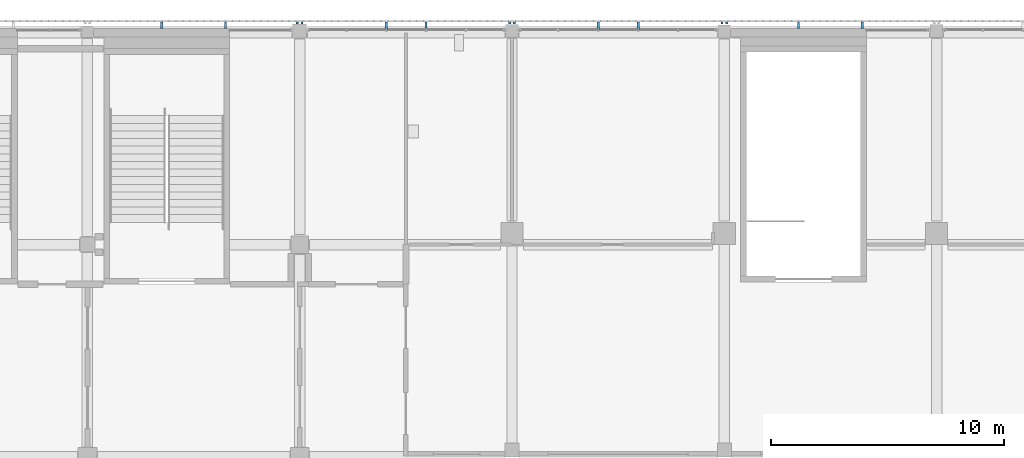
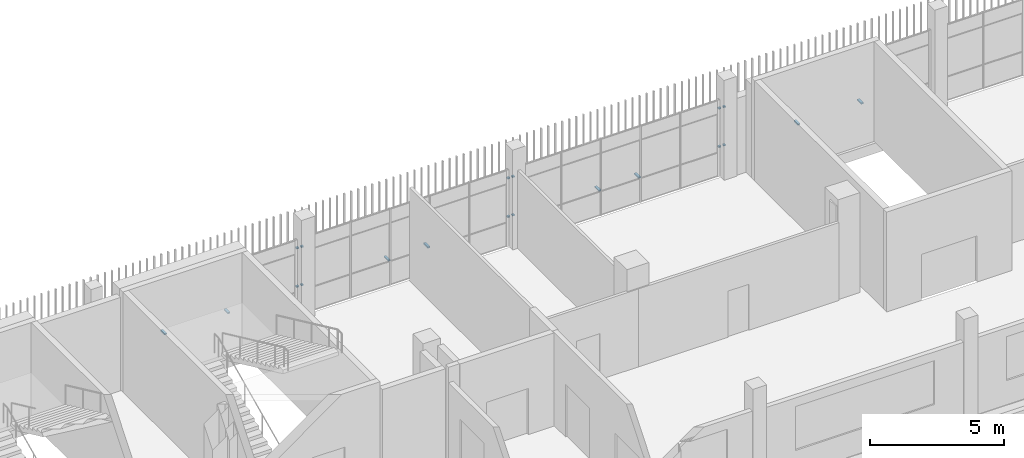
# One storey, part 81 of 104: 20 discrete accessories.
"""IFC4 building model written with IfcOpenShell, lengths in metres."""

from ifc_helpers import new_model, si_unit, direction, frame, origin, origin_2d, place, context, subcontext, project, spatial, rectangle, extrude, material, type_object, element, save


model = new_model("IFC4")

# Units and contexts
model_context = context("Model", 3, precision=1e-05, world=origin(), true_north=direction((0.0, 1.0)))
body_context = subcontext(model_context, "Body", "Model", "MODEL_VIEW")
ifc_project = project(units=[si_unit("LENGTHUNIT", "METRE"), si_unit("AREAUNIT", "SQUARE_METRE"), si_unit("VOLUMEUNIT", "CUBIC_METRE"), si_unit("PLANEANGLEUNIT", "RADIAN"), si_unit("MASSUNIT", "GRAM", prefix="KILO")], contexts=[model_context])

# Site, building, storey
site_placement = place(None, origin())
site = spatial("IfcSite", under=ifc_project, at=site_placement, CompositionType="ELEMENT")
building_placement = place(site_placement, origin())
building = spatial("IfcBuilding", under=site, at=building_placement, Name="Shirokan Park Arena", CompositionType="ELEMENT")
storey_placement = place(building_placement, frame((0.0, 0.0, 10.919921875)))
storey = spatial("IfcBuildingStorey", under=building, at=storey_placement, Name="L02", CompositionType="ELEMENT", Elevation=10.919921875)

# Discrete accessories
ifc_material = material(Name="Steel S355", Category="steel")
discrete_accessory_type = type_object("IfcDiscreteAccessoryType", Name="Veil bracket 100x60", PredefinedType="BRACKET", material=ifc_material)
for number, where, z_axis, x_axis, name in (
    (1, (54.699951171875, 109.597412109375, 1.070068359375), (0.0, 0.0, 1.0), (-1.0, 0.0, 0.0), "Veil bracket north bay 10 L02 2"),
    (2, (54.699951171875, 109.597412109375, 2.820068359375), (0.0, 0.0, 1.0), (-1.0, 0.0, 0.0), "Veil bracket north bay 10 L02 4"),
):
    element("IfcDiscreteAccessory", number, at=place(storey_placement, frame(where, z_axis=z_axis, x_axis=x_axis)), inside=storey, type_object=discrete_accessory_type, Name=name, PredefinedType="BRACKET", context=body_context, shape_type="SweptSolid", body=[
        extrude(rectangle(XDim=0.10009765625, YDim=0.094970703125, at=origin_2d()), origin(), (0.0, 0.0, 1.0), 0.06005859375),
    ])
for number, where, z_axis, x_axis, name in (
    (3, (60.514892578125, 109.49755859375, 1.070068359375), (0.0, 0.0, 1.0), (-1.0, 0.0, 0.0), "Veil bracket north bay 10 L02 wall 1"),
    (4, (57.784912109375, 109.49755859375, 1.070068359375), (0.0, 0.0, 1.0), (-1.0, 0.0, 0.0), "Veil bracket north bay 10 L02 wall 2"),
):
    element("IfcDiscreteAccessory", number, at=place(storey_placement, frame(where, z_axis=z_axis, x_axis=x_axis)), inside=storey, type_object=discrete_accessory_type, Name=name, PredefinedType="BRACKET", context=body_context, shape_type="SweptSolid", body=[
        extrude(rectangle(XDim=0.10009765625, YDim=0.294921875, at=origin_2d()), origin(), (0.0, 0.0, 1.0), 0.06005859375),
    ])
for number, where, z_axis, x_axis, name in (
    (5, (54.5, 109.597412109375, 1.070068359375), (0.0, 0.0, 1.0), (-1.0, 0.0, 0.0), "Veil bracket north bay 11 L02 1"),
    (6, (45.60009765625, 109.597412109375, 1.070068359375), (0.0, 0.0, 1.0), (-1.0, 0.0, 0.0), "Veil bracket north bay 11 L02 2"),
    (7, (54.5, 109.597412109375, 2.820068359375), (0.0, 0.0, 1.0), (-1.0, 0.0, 0.0), "Veil bracket north bay 11 L02 3"),
    (8, (45.60009765625, 109.597412109375, 2.820068359375), (0.0, 0.0, 1.0), (-1.0, 0.0, 0.0), "Veil bracket north bay 11 L02 4"),
):
    element("IfcDiscreteAccessory", number, at=place(storey_placement, frame(where, z_axis=z_axis, x_axis=x_axis)), inside=storey, type_object=discrete_accessory_type, Name=name, PredefinedType="BRACKET", context=body_context, shape_type="SweptSolid", body=[
        extrude(rectangle(XDim=0.10009765625, YDim=0.094970703125, at=origin_2d()), origin(), (0.0, 0.0, 1.0), 0.06005859375),
    ])
for number, where, z_axis, x_axis, name in (
    (9, (50.905029296875, 109.485107421875, 1.070068359375), (0.0, 0.0, 1.0), (-1.0, 0.0, 0.0), "Veil bracket north bay 11 L02 wall 1"),
    (10, (49.195068359375, 109.485107421875, 1.070068359375), (0.0, 0.0, 1.0), (-1.0, 0.0, 0.0), "Veil bracket north bay 11 L02 wall 2"),
):
    element("IfcDiscreteAccessory", number, at=place(storey_placement, frame(where, z_axis=z_axis, x_axis=x_axis)), inside=storey, type_object=discrete_accessory_type, Name=name, PredefinedType="BRACKET", context=body_context, shape_type="SweptSolid", body=[
        extrude(rectangle(XDim=0.10009765625, YDim=0.320068359375, at=origin_2d()), origin(), (0.0, 0.0, 1.0), 0.06005859375),
    ])
for number, where, z_axis, x_axis, name in (
    (11, (45.39990234375, 109.597412109375, 1.070068359375), (0.0, 0.0, 1.0), (-1.0, 0.0, 0.0), "Veil bracket north bay 12 L02 1"),
    (12, (36.5, 109.597412109375, 1.070068359375), (0.0, 0.0, 1.0), (-1.0, 0.0, 0.0), "Veil bracket north bay 12 L02 2"),
    (13, (45.39990234375, 109.597412109375, 2.820068359375), (0.0, 0.0, 1.0), (-1.0, 0.0, 0.0), "Veil bracket north bay 12 L02 3"),
    (14, (36.5, 109.597412109375, 2.820068359375), (0.0, 0.0, 1.0), (-1.0, 0.0, 0.0), "Veil bracket north bay 12 L02 4"),
):
    element("IfcDiscreteAccessory", number, at=place(storey_placement, frame(where, z_axis=z_axis, x_axis=x_axis)), inside=storey, type_object=discrete_accessory_type, Name=name, PredefinedType="BRACKET", context=body_context, shape_type="SweptSolid", body=[
        extrude(rectangle(XDim=0.10009765625, YDim=0.094970703125, at=origin_2d()), origin(), (0.0, 0.0, 1.0), 0.06005859375),
    ])
for number, where, z_axis, x_axis, name in (
    (15, (41.81494140625, 109.485107421875, 1.070068359375), (0.0, 0.0, 1.0), (-1.0, 0.0, 0.0), "Veil bracket north bay 12 L02 wall 1"),
    (16, (40.110107421875, 109.485107421875, 1.070068359375), (0.0, 0.0, 1.0), (-1.0, 0.0, 0.0), "Veil bracket north bay 12 L02 wall 2"),
):
    element("IfcDiscreteAccessory", number, at=place(storey_placement, frame(where, z_axis=z_axis, x_axis=x_axis)), inside=storey, type_object=discrete_accessory_type, Name=name, PredefinedType="BRACKET", context=body_context, shape_type="SweptSolid", body=[
        extrude(rectangle(XDim=0.10009765625, YDim=0.320068359375, at=origin_2d()), origin(), (0.0, 0.0, 1.0), 0.06005859375),
    ])
for number, where, z_axis, x_axis, name in (
    (17, (36.300048828125, 109.597412109375, 1.070068359375), (0.0, 0.0, 1.0), (-1.0, 0.0, 0.0), "Veil bracket north bay 13 L02 1"),
    (18, (36.300048828125, 109.597412109375, 2.820068359375), (0.0, 0.0, 1.0), (-1.0, 0.0, 0.0), "Veil bracket north bay 13 L02 3"),
):
    element("IfcDiscreteAccessory", number, at=place(storey_placement, frame(where, z_axis=z_axis, x_axis=x_axis)), inside=storey, type_object=discrete_accessory_type, Name=name, PredefinedType="BRACKET", context=body_context, shape_type="SweptSolid", body=[
        extrude(rectangle(XDim=0.10009765625, YDim=0.094970703125, at=origin_2d()), origin(), (0.0, 0.0, 1.0), 0.06005859375),
    ])
for number, where, z_axis, x_axis, name in (
    (19, (33.215087890625, 109.49755859375, 1.070068359375), (0.0, 0.0, 1.0), (-1.0, 0.0, 0.0), "Veil bracket north bay 13 L02 wall 1"),
    (20, (30.485107421875, 109.49755859375, 1.070068359375), (0.0, 0.0, 1.0), (-1.0, 0.0, 0.0), "Veil bracket north bay 13 L02 wall 2"),
):
    element("IfcDiscreteAccessory", number, at=place(storey_placement, frame(where, z_axis=z_axis, x_axis=x_axis)), inside=storey, type_object=discrete_accessory_type, Name=name, PredefinedType="BRACKET", context=body_context, shape_type="SweptSolid", body=[
        extrude(rectangle(XDim=0.10009765625, YDim=0.294921875, at=origin_2d()), origin(), (0.0, 0.0, 1.0), 0.06005859375),
    ])

save(model, "model.ifc")
